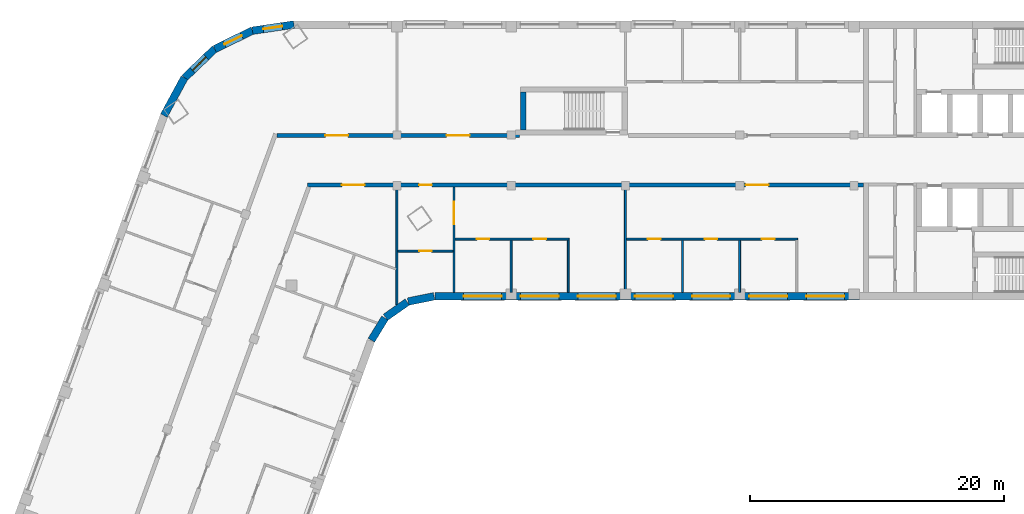
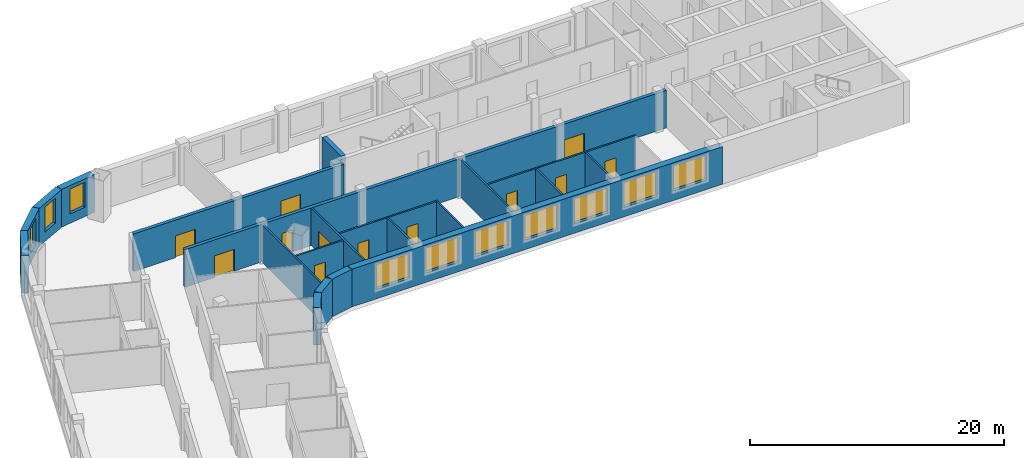
# One storey, part 4 of 8: 21 walls, 12 doors, 10 windows, 22 openings.
"""IFC4 building model written with IfcOpenShell, lengths in metres."""

from ifc_helpers import new_model, si_unit, direction, frame, frame_2d, origin, place, context, subcontext, project, spatial, rectangle, extrude, material, layer, layer_set, type_object, element, fill, save


model = new_model("IFC4")

# Units and contexts
model_context = context("Model", 3, precision=1e-05, world=origin(), true_north=direction((0.0, 1.0)))
body_context = subcontext(model_context, "Body", "Model", "MODEL_VIEW")
ifc_project = project(units=[si_unit("LENGTHUNIT", "METRE"), si_unit("AREAUNIT", "SQUARE_METRE"), si_unit("VOLUMEUNIT", "CUBIC_METRE"), si_unit("PLANEANGLEUNIT", "RADIAN"), si_unit("MASSUNIT", "GRAM", prefix="KILO")], contexts=[model_context])

# Site, building, storey
site_placement = place(None, origin())
site = spatial("IfcSite", under=ifc_project, at=site_placement, CompositionType="ELEMENT")
building_placement = place(site_placement, origin())
building = spatial("IfcBuilding", under=site, at=building_placement, Name="Skarvind Civic Tower", CompositionType="ELEMENT")
storey_placement = place(building_placement, frame((0.0, 0.0, 121.0)))
storey = spatial("IfcBuildingStorey", under=building, at=storey_placement, Name="L28", CompositionType="ELEMENT", Elevation=121.0)

# Wall, openings, doors
ifc_material_1 = material(Name="Fire-rated gypsum board on steel studs", Category="steel")
ifc_layer_1 = layer(ifc_material_1, 0.300048828125)
ifc_layer_set_1 = layer_set([ifc_layer_1], Name="CORRIDOR WALL 300")
wall_type_1 = type_object("IfcWallType", Name="CORRIDOR WALL 300", PredefinedType="PARTITIONING", material=ifc_layer_set_1)
wall_1_placement = place(storey_placement, frame((44.784912109375, 129.949951171875, 0.0), z_axis=(0.0, 0.0, 1.0), x_axis=(1.0, 0.0, 0.0)))
wall_1 = element("IfcWall", 1, at=wall_1_placement, inside=storey, type_object=wall_type_1, Name="Partition 28.013", PredefinedType="PARTITIONING", context=body_context, shape_type="SweptSolid", body=[
    extrude(rectangle(XDim=19.114990234375, YDim=0.300048828125, at=frame_2d((9.5576171875, 0.0))), origin(), (0.0, 0.0, 1.0), 3.625),
])
opening_1_placement = place(wall_1_placement, frame((13.389892578125, 0.0, 0.0)))
opening_1 = element("IfcOpeningElement", 2, at=opening_1_placement, cuts=wall_1, Name="Opening L28-D006", PredefinedType="OPENING", context=body_context, shape_type="SweptSolid", body=[
    extrude(rectangle(XDim=1.800048828125, YDim=2.10009765625, at=frame_2d((0.89990234375, 1.050048828125))), frame((0.0, 0.159912109375, 0.0), z_axis=(0.0, -1.0, 0.0), x_axis=(1.0, 0.0, 0.0)), (0.0, 0.0, 1.0), 0.320068359375),
])
opening_2_placement = place(wall_1_placement, frame((3.822509765625, 0.0, 0.0)))
opening_2 = element("IfcOpeningElement", 3, at=opening_2_placement, cuts=wall_1, Name="Opening L28-D027", PredefinedType="OPENING", context=body_context, shape_type="SweptSolid", body=[
    extrude(rectangle(XDim=1.800048828125, YDim=2.10009765625, at=frame_2d((0.89990234375, 1.050048828125))), frame((0.0, 0.159912109375, 0.0), z_axis=(0.0, -1.0, 0.0), x_axis=(1.0, 0.0, 0.0)), (0.0, 0.0, 1.0), 0.320068359375),
])
ifc_material_2 = material(Name="Fire-rated timber door leaf", Category="wood")
door_type_1 = type_object("IfcDoorType", Name="FD4 1800x2100", OperationType="NOTDEFINED", PredefinedType="DOOR", material=ifc_material_2)
door_1_placement = place(opening_1_placement, origin())
door_1 = element("IfcDoor", 4, at=door_1_placement, inside=storey, type_object=door_type_1, Name="Door L28-D006", OperationType="DOUBLE_DOOR_SINGLE_SWING", OverallHeight=2.10009765625, OverallWidth=1.800048828125, PredefinedType="DOOR", context=body_context, shape_type="SweptSolid", body=[
    extrude(rectangle(XDim=1.800048828125, YDim=2.10009765625, at=frame_2d((0.89990234375, 1.050048828125))), frame((0.0, 0.02490234375, 0.0), z_axis=(0.0, -1.0, 0.0), x_axis=(1.0, 0.0, 0.0)), (0.0, 0.0, 1.0), 0.050048828125),
])
fill(opening_1, door_1)
door_2_placement = place(opening_2_placement, origin())
door_2 = element("IfcDoor", 5, at=door_2_placement, inside=storey, type_object=door_type_1, Name="Door L28-D027", OperationType="DOUBLE_DOOR_SINGLE_SWING", OverallHeight=2.10009765625, OverallWidth=1.800048828125, PredefinedType="DOOR", context=body_context, shape_type="SweptSolid", body=[
    extrude(rectangle(XDim=1.800048828125, YDim=2.10009765625, at=frame_2d((0.89990234375, 1.050048828125))), frame((0.0, 0.02490234375, 0.0), z_axis=(0.0, -1.0, 0.0), x_axis=(1.0, 0.0, 0.0)), (0.0, 0.0, 1.0), 0.050048828125),
])
fill(opening_2, door_2)

wall_2_placement = place(storey_placement, frame((91.0, 126.050048828125, 0.0), z_axis=(0.0, 0.0, 1.0), x_axis=(-1.0, 0.0, 0.0)))
wall_2 = element("IfcWall", 6, at=wall_2_placement, inside=storey, type_object=wall_type_1, Name="Partition 28.039", PredefinedType="PARTITIONING", context=body_context, shape_type="SweptSolid", body=[
    extrude(rectangle(XDim=43.784912109375, YDim=0.300048828125, at=frame_2d((21.892578125, 0.0))), origin(), (0.0, 0.0, 1.0), 3.625),
])
opening_3_placement = place(wall_2_placement, frame((7.47509765625, 0.0, 0.0)))
opening_3 = element("IfcOpeningElement", 7, at=opening_3_placement, cuts=wall_2, Name="Opening L28-D010", PredefinedType="OPENING", context=body_context, shape_type="SweptSolid", body=[
    extrude(rectangle(XDim=1.800048828125, YDim=2.10009765625, at=frame_2d((0.89990234375, 1.050048828125))), frame((0.0, 0.159912109375, 0.0), z_axis=(0.0, -1.0, 0.0), x_axis=(1.0, 0.0, 0.0)), (0.0, 0.0, 1.0), 0.320068359375),
])
opening_4_placement = place(wall_2_placement, frame((34.0, 0.0, 0.0)))
opening_4 = element("IfcOpeningElement", 8, at=opening_4_placement, cuts=wall_2, Name="Opening L28-D011", PredefinedType="OPENING", context=body_context, shape_type="SweptSolid", body=[
    extrude(rectangle(XDim=1.0, YDim=2.10009765625, at=frame_2d((0.5, 1.050048828125))), frame((0.0, 0.159912109375, 0.0), z_axis=(0.0, -1.0, 0.0), x_axis=(1.0, 0.0, 0.0)), (0.0, 0.0, 1.0), 0.320068359375),
])
opening_5_placement = place(wall_2_placement, frame((39.2958984375, 0.0, 0.0)))
opening_5 = element("IfcOpeningElement", 9, at=opening_5_placement, cuts=wall_2, Name="Opening L28-D028", PredefinedType="OPENING", context=body_context, shape_type="SweptSolid", body=[
    extrude(rectangle(XDim=1.800048828125, YDim=2.10009765625, at=frame_2d((0.89990234375, 1.050048828125))), frame((0.0, 0.159912109375, 0.0), z_axis=(0.0, -1.0, 0.0), x_axis=(1.0, 0.0, 0.0)), (0.0, 0.0, 1.0), 0.320068359375),
])
door_type_2 = type_object("IfcDoorType", Name="FD1 1000x2100", OperationType="NOTDEFINED", PredefinedType="DOOR", material=ifc_material_2)
door_3_placement = place(opening_4_placement, origin())
door_3 = element("IfcDoor", 10, at=door_3_placement, inside=storey, type_object=door_type_2, Name="Door L28-D011", OperationType="SINGLE_SWING_LEFT", OverallHeight=2.10009765625, OverallWidth=1.0, PredefinedType="DOOR", context=body_context, shape_type="SweptSolid", body=[
    extrude(rectangle(XDim=1.0, YDim=2.10009765625, at=frame_2d((0.5, 1.050048828125))), frame((0.0, 0.02490234375, 0.0), z_axis=(0.0, -1.0, 0.0), x_axis=(1.0, 0.0, 0.0)), (0.0, 0.0, 1.0), 0.050048828125),
])
fill(opening_4, door_3)
door_4_placement = place(opening_3_placement, origin())
door_4 = element("IfcDoor", 11, at=door_4_placement, inside=storey, type_object=door_type_1, Name="Door L28-D010", OperationType="DOUBLE_DOOR_SINGLE_SWING", OverallHeight=2.10009765625, OverallWidth=1.800048828125, PredefinedType="DOOR", context=body_context, shape_type="SweptSolid", body=[
    extrude(rectangle(XDim=1.800048828125, YDim=2.10009765625, at=frame_2d((0.89990234375, 1.050048828125))), frame((0.0, 0.02490234375, 0.0), z_axis=(0.0, -1.0, 0.0), x_axis=(1.0, 0.0, 0.0)), (0.0, 0.0, 1.0), 0.050048828125),
])
fill(opening_3, door_4)
door_5_placement = place(opening_5_placement, origin())
door_5 = element("IfcDoor", 12, at=door_5_placement, inside=storey, type_object=door_type_1, Name="Door L28-D028", OperationType="DOUBLE_DOOR_SINGLE_SWING", OverallHeight=2.10009765625, OverallWidth=1.800048828125, PredefinedType="DOOR", context=body_context, shape_type="SweptSolid", body=[
    extrude(rectangle(XDim=1.800048828125, YDim=2.10009765625, at=frame_2d((0.89990234375, 1.050048828125))), frame((0.0, 0.02490234375, 0.0), z_axis=(0.0, -1.0, 0.0), x_axis=(1.0, 0.0, 0.0)), (0.0, 0.0, 1.0), 0.050048828125),
])
fill(opening_5, door_5)

# Walls
ifc_material_3 = material(Name="Concrete C80", Category="concrete")
ifc_layer_2 = layer(ifc_material_3, 0.39990234375)
ifc_layer_set_2 = layer_set([ifc_layer_2], Name="Core wall 400 C80")
wall_type_2 = type_object("IfcWallType", Name="Core wall 400 C80", PredefinedType="SHEAR", material=ifc_layer_set_2)
wall_3_placement = place(storey_placement, frame((64.199951171875, 130.39990234375, 0.0), z_axis=(0.0, 0.0, 1.0), x_axis=(0.0, 1.0, 0.0)))
element("IfcWall", 13, at=wall_3_placement, inside=storey, type_object=wall_type_2, Name="Core wall CM west L28", PredefinedType="SHEAR", context=body_context, shape_type="SweptSolid", body=[
    extrude(rectangle(XDim=3.0, YDim=0.39990234375, at=frame_2d((1.5, 0.0))), origin(), (0.0, 0.0, 1.0), 4.0),
])
ifc_material_4 = material(Name="Plasterboard partition on steel studs", Category="steel")
ifc_layer_3 = layer(ifc_material_4, 0.14990234375)
ifc_layer_set_3 = layer_set([ifc_layer_3], Name="PARTITION 150")
wall_type_3 = type_object("IfcWallType", Name="PARTITION 150", PredefinedType="PARTITIONING", material=ifc_layer_set_3)
wall_4_placement = place(storey_placement, frame((54.25, 116.636962890625, 0.0), z_axis=(0.0, 0.0, 1.0), x_axis=(0.0, 1.0, 0.0)))
element("IfcWall", 14, at=wall_4_placement, inside=storey, type_object=wall_type_3, Name="Partition 28.020", PredefinedType="PARTITIONING", context=body_context, shape_type="SweptSolid", body=[
    extrude(rectangle(XDim=9.262939453125, YDim=0.14990234375, at=frame_2d((4.63134765625, 0.0))), origin(), (0.0, 0.0, 1.0), 3.625),
])

# Wall, opening, door
wall_5_placement = place(storey_placement, frame((54.324951171875, 120.85009765625, 0.0), z_axis=(0.0, 0.0, 1.0), x_axis=(1.0, 0.0, 0.0)))
wall_5 = element("IfcWall", 15, at=wall_5_placement, inside=storey, type_object=wall_type_3, Name="Partition 28.021", PredefinedType="PARTITIONING", context=body_context, shape_type="SweptSolid", body=[
    extrude(rectangle(XDim=4.35009765625, YDim=0.14990234375, at=frame_2d((2.175048828125, 0.0))), origin(), (0.0, 0.0, 1.0), 3.625),
])
opening_6_placement = place(wall_5_placement, frame((1.675048828125, 0.0, 0.0)))
opening_6 = element("IfcOpeningElement", 16, at=opening_6_placement, cuts=wall_5, Name="Opening L28-D014", PredefinedType="OPENING", context=body_context, shape_type="SweptSolid", body=[
    extrude(rectangle(XDim=1.0, YDim=2.10009765625, at=frame_2d((0.5, 1.050048828125))), frame((0.0, 0.0849609375, 0.0), z_axis=(0.0, -1.0, 0.0), x_axis=(1.0, 0.0, 0.0)), (0.0, 0.0, 1.0), 0.169921875),
])
ifc_material_5 = material(Name="Timber door leaf", Category="wood")
door_type_3 = type_object("IfcDoorType", Name="D1 1000x2100", OperationType="NOTDEFINED", PredefinedType="DOOR", material=ifc_material_5)
door_6_placement = place(opening_6_placement, origin())
door_6 = element("IfcDoor", 17, at=door_6_placement, inside=storey, type_object=door_type_3, Name="Door L28-D014", OperationType="SINGLE_SWING_LEFT", OverallHeight=2.10009765625, OverallWidth=1.0, PredefinedType="DOOR", context=body_context, shape_type="SweptSolid", body=[
    extrude(rectangle(XDim=1.0, YDim=2.10009765625, at=frame_2d((0.5, 1.050048828125))), frame((0.0, 0.02490234375, 0.0), z_axis=(0.0, -1.0, 0.0), x_axis=(1.0, 0.0, 0.0)), (0.0, 0.0, 1.0), 0.050048828125),
])
fill(opening_6, door_6)

wall_6_placement = place(storey_placement, frame((58.75, 117.60009765625, 0.0), z_axis=(0.0, 0.0, 1.0), x_axis=(0.0, 1.0, 0.0)))
wall_6 = element("IfcWall", 18, at=wall_6_placement, inside=storey, type_object=wall_type_3, Name="Partition 28.023", PredefinedType="PARTITIONING", context=body_context, shape_type="SweptSolid", body=[
    extrude(rectangle(XDim=8.2998046875, YDim=0.14990234375, at=frame_2d((4.14990234375, 0.0))), origin(), (0.0, 0.0, 1.0), 3.625),
])
opening_7_placement = place(wall_6_placement, frame((5.360107421875, 0.0, 0.0)))
opening_7 = element("IfcOpeningElement", 19, at=opening_7_placement, cuts=wall_6, Name="Opening L28-D015", PredefinedType="OPENING", context=body_context, shape_type="SweptSolid", body=[
    extrude(rectangle(XDim=1.800048828125, YDim=2.10009765625, at=frame_2d((0.89990234375, 1.050048828125))), frame((0.0, 0.0849609375, 0.0), z_axis=(0.0, -1.0, 0.0), x_axis=(1.0, 0.0, 0.0)), (0.0, 0.0, 1.0), 0.169921875),
])
door_type_4 = type_object("IfcDoorType", Name="D4 1800x2100", OperationType="NOTDEFINED", PredefinedType="DOOR", material=ifc_material_5)
door_7_placement = place(opening_7_placement, origin())
door_7 = element("IfcDoor", 20, at=door_7_placement, inside=storey, type_object=door_type_4, Name="Door L28-D015", OperationType="DOUBLE_DOOR_SINGLE_SWING", OverallHeight=2.10009765625, OverallWidth=1.800048828125, PredefinedType="DOOR", context=body_context, shape_type="SweptSolid", body=[
    extrude(rectangle(XDim=1.800048828125, YDim=2.10009765625, at=frame_2d((0.89990234375, 1.050048828125))), frame((0.0, 0.02490234375, 0.0), z_axis=(0.0, -1.0, 0.0), x_axis=(1.0, 0.0, 0.0)), (0.0, 0.0, 1.0), 0.050048828125),
])
fill(opening_7, door_7)

# Wall, openings, doors
wall_7_placement = place(storey_placement, frame((58.824951171875, 121.800048828125, 0.0), z_axis=(0.0, 0.0, 1.0), x_axis=(1.0, 0.0, 0.0)))
wall_7 = element("IfcWall", 21, at=wall_7_placement, inside=storey, type_object=wall_type_3, Name="Partition 28.024", PredefinedType="PARTITIONING", context=body_context, shape_type="SweptSolid", body=[
    extrude(rectangle(XDim=9.0, YDim=0.14990234375, at=frame_2d((4.5, 0.0))), origin(), (0.0, 0.0, 1.0), 3.625),
])
opening_8_placement = place(wall_7_placement, frame((1.702392578125, 0.0, 0.0)))
opening_8 = element("IfcOpeningElement", 22, at=opening_8_placement, cuts=wall_7, Name="Opening L28-D012", PredefinedType="OPENING", context=body_context, shape_type="SweptSolid", body=[
    extrude(rectangle(XDim=1.0, YDim=2.10009765625, at=frame_2d((0.5, 1.050048828125))), frame((0.0, 0.0849609375, 0.0), z_axis=(0.0, -1.0, 0.0), x_axis=(1.0, 0.0, 0.0)), (0.0, 0.0, 1.0), 0.169921875),
])
opening_9_placement = place(wall_7_placement, frame((6.175048828125, 0.0, 0.0)))
opening_9 = element("IfcOpeningElement", 23, at=opening_9_placement, cuts=wall_7, Name="Opening L28-D013", PredefinedType="OPENING", context=body_context, shape_type="SweptSolid", body=[
    extrude(rectangle(XDim=1.0, YDim=2.10009765625, at=frame_2d((0.5, 1.050048828125))), frame((0.0, 0.0849609375, 0.0), z_axis=(0.0, -1.0, 0.0), x_axis=(1.0, 0.0, 0.0)), (0.0, 0.0, 1.0), 0.169921875),
])
door_8_placement = place(opening_8_placement, origin())
door_8 = element("IfcDoor", 24, at=door_8_placement, inside=storey, type_object=door_type_3, Name="Door L28-D012", OperationType="SINGLE_SWING_LEFT", OverallHeight=2.10009765625, OverallWidth=1.0, PredefinedType="DOOR", context=body_context, shape_type="SweptSolid", body=[
    extrude(rectangle(XDim=1.0, YDim=2.10009765625, at=frame_2d((0.5, 1.050048828125))), frame((0.0, 0.02490234375, 0.0), z_axis=(0.0, -1.0, 0.0), x_axis=(1.0, 0.0, 0.0)), (0.0, 0.0, 1.0), 0.050048828125),
])
fill(opening_8, door_8)
door_9_placement = place(opening_9_placement, origin())
door_9 = element("IfcDoor", 25, at=door_9_placement, inside=storey, type_object=door_type_3, Name="Door L28-D013", OperationType="SINGLE_SWING_RIGHT", OverallHeight=2.10009765625, OverallWidth=1.0, PredefinedType="DOOR", context=body_context, shape_type="SweptSolid", body=[
    extrude(rectangle(XDim=1.0, YDim=2.10009765625, at=frame_2d((0.5, 1.050048828125))), frame((0.0, 0.02490234375, 0.0), z_axis=(0.0, -1.0, 0.0), x_axis=(1.0, 0.0, 0.0)), (0.0, 0.0, 1.0), 0.050048828125),
])
fill(opening_9, door_9)

# Walls
for number, where, z_axis, x_axis, name in (
    (26, (63.25, 121.72509765625, 0.0), (0.0, 0.0, 1.0), (0.0, -1.0, 0.0), "Partition 28.025"),
    (27, (67.75, 117.60009765625, 0.0), (0.0, 0.0, 1.0), (0.0, 1.0, 0.0), "Partition 28.026"),
):
    element("IfcWall", number, at=place(storey_placement, frame(where, z_axis=z_axis, x_axis=x_axis)), inside=storey, type_object=wall_type_3, Name=name, PredefinedType="PARTITIONING", context=body_context, shape_type="SweptSolid", body=[
        extrude(rectangle(XDim=4.125, YDim=0.14990234375, at=frame_2d((2.0625, 0.0))), origin(), (0.0, 0.0, 1.0), 3.625),
    ])
wall_8_placement = place(storey_placement, frame((72.25, 117.60009765625, 0.0), z_axis=(0.0, 0.0, 1.0), x_axis=(0.0, 1.0, 0.0)))
element("IfcWall", 28, at=wall_8_placement, inside=storey, type_object=wall_type_3, Name="Partition 28.027", PredefinedType="PARTITIONING", context=body_context, shape_type="SweptSolid", body=[
    extrude(rectangle(XDim=8.2998046875, YDim=0.14990234375, at=frame_2d((4.14990234375, 0.0))), origin(), (0.0, 0.0, 1.0), 3.625),
])

# Wall, openings, doors
wall_9_placement = place(storey_placement, frame((72.324951171875, 121.800048828125, 0.0), z_axis=(0.0, 0.0, 1.0), x_axis=(1.0, 0.0, 0.0)))
wall_9 = element("IfcWall", 29, at=wall_9_placement, inside=storey, type_object=wall_type_3, Name="Partition 28.028", PredefinedType="PARTITIONING", context=body_context, shape_type="SweptSolid", body=[
    extrude(rectangle(XDim=13.5, YDim=0.14990234375, at=frame_2d((6.75, 0.0))), origin(), (0.0, 0.0, 1.0), 3.625),
])
opening_10_placement = place(wall_9_placement, frame((10.675048828125, 0.0, 0.0)))
opening_10 = element("IfcOpeningElement", 30, at=opening_10_placement, cuts=wall_9, Name="Opening L28-D007", PredefinedType="OPENING", context=body_context, shape_type="SweptSolid", body=[
    extrude(rectangle(XDim=1.0, YDim=2.10009765625, at=frame_2d((0.5, 1.050048828125))), frame((0.0, 0.0849609375, 0.0), z_axis=(0.0, -1.0, 0.0), x_axis=(1.0, 0.0, 0.0)), (0.0, 0.0, 1.0), 0.169921875),
])
opening_11_placement = place(wall_9_placement, frame((6.175048828125, 0.0, 0.0)))
opening_11 = element("IfcOpeningElement", 31, at=opening_11_placement, cuts=wall_9, Name="Opening L28-D008", PredefinedType="OPENING", context=body_context, shape_type="SweptSolid", body=[
    extrude(rectangle(XDim=1.0, YDim=2.10009765625, at=frame_2d((0.5, 1.050048828125))), frame((0.0, 0.0849609375, 0.0), z_axis=(0.0, -1.0, 0.0), x_axis=(1.0, 0.0, 0.0)), (0.0, 0.0, 1.0), 0.169921875),
])
opening_12_placement = place(wall_9_placement, frame((1.702392578125, 0.0, 0.0)))
opening_12 = element("IfcOpeningElement", 32, at=opening_12_placement, cuts=wall_9, Name="Opening L28-D009", PredefinedType="OPENING", context=body_context, shape_type="SweptSolid", body=[
    extrude(rectangle(XDim=1.0, YDim=2.10009765625, at=frame_2d((0.5, 1.050048828125))), frame((0.0, 0.0849609375, 0.0), z_axis=(0.0, -1.0, 0.0), x_axis=(1.0, 0.0, 0.0)), (0.0, 0.0, 1.0), 0.169921875),
])
door_10_placement = place(opening_10_placement, origin())
door_10 = element("IfcDoor", 33, at=door_10_placement, inside=storey, type_object=door_type_3, Name="Door L28-D007", OperationType="SINGLE_SWING_LEFT", OverallHeight=2.10009765625, OverallWidth=1.0, PredefinedType="DOOR", context=body_context, shape_type="SweptSolid", body=[
    extrude(rectangle(XDim=1.0, YDim=2.10009765625, at=frame_2d((0.5, 1.050048828125))), frame((0.0, 0.02490234375, 0.0), z_axis=(0.0, -1.0, 0.0), x_axis=(1.0, 0.0, 0.0)), (0.0, 0.0, 1.0), 0.050048828125),
])
fill(opening_10, door_10)
door_11_placement = place(opening_11_placement, origin())
door_11 = element("IfcDoor", 34, at=door_11_placement, inside=storey, type_object=door_type_3, Name="Door L28-D008", OperationType="SINGLE_SWING_RIGHT", OverallHeight=2.10009765625, OverallWidth=1.0, PredefinedType="DOOR", context=body_context, shape_type="SweptSolid", body=[
    extrude(rectangle(XDim=1.0, YDim=2.10009765625, at=frame_2d((0.5, 1.050048828125))), frame((0.0, 0.02490234375, 0.0), z_axis=(0.0, -1.0, 0.0), x_axis=(1.0, 0.0, 0.0)), (0.0, 0.0, 1.0), 0.050048828125),
])
fill(opening_11, door_11)
door_12_placement = place(opening_12_placement, origin())
door_12 = element("IfcDoor", 35, at=door_12_placement, inside=storey, type_object=door_type_3, Name="Door L28-D009", OperationType="SINGLE_SWING_LEFT", OverallHeight=2.10009765625, OverallWidth=1.0, PredefinedType="DOOR", context=body_context, shape_type="SweptSolid", body=[
    extrude(rectangle(XDim=1.0, YDim=2.10009765625, at=frame_2d((0.5, 1.050048828125))), frame((0.0, 0.02490234375, 0.0), z_axis=(0.0, -1.0, 0.0), x_axis=(1.0, 0.0, 0.0)), (0.0, 0.0, 1.0), 0.050048828125),
])
fill(opening_12, door_12)

# Walls
for number, where, z_axis, x_axis, name in (
    (36, (76.75, 117.60009765625, 0.0), (0.0, 0.0, 1.0), (0.0, 1.0, 0.0), "Partition 28.032"),
    (37, (81.25, 117.60009765625, 0.0), (0.0, 0.0, 1.0), (0.0, 1.0, 0.0), "Partition 28.035"),
):
    element("IfcWall", number, at=place(storey_placement, frame(where, z_axis=z_axis, x_axis=x_axis)), inside=storey, type_object=wall_type_3, Name=name, PredefinedType="PARTITIONING", context=body_context, shape_type="SweptSolid", body=[
        extrude(rectangle(XDim=4.125, YDim=0.14990234375, at=frame_2d((2.0625, 0.0))), origin(), (0.0, 0.0, 1.0), 3.625),
    ])
ifc_material_6 = material(Name="Limestone masonry cladding on insulated backing", Category="masonry")
ifc_layer_4 = layer(ifc_material_6, 0.60009765625)
ifc_layer_set_4 = layer_set([ifc_layer_4], Name="WX1 STONE FACADE WALL 600")
wall_type_4 = type_object("IfcWallType", Name="WX1 STONE FACADE WALL 600", PredefinedType="SOLIDWALL", material=ifc_layer_set_4)
wall_10_placement = place(storey_placement, frame((53.30517578125, 115.578369140625, 0.0), z_axis=(0.0, 0.0, 1.0), x_axis=(-0.522402266438, -0.852699168535, 0.0)))
element("IfcWall", 38, at=wall_10_placement, inside=storey, type_object=wall_type_4, Name="STONE FACADE WALL", PredefinedType="SOLIDWALL", context=body_context, shape_type="SweptSolid", body=[
    extrude(rectangle(XDim=2.042236328125, YDim=0.60009765625, at=frame_2d((1.02099609375, 0.0))), origin(), (0.0, 0.0, 1.0), 3.625),
])
for number, where, z_axis, x_axis, name in (
    (39, (55.061767578125, 116.8388671875, 0.0), (0.0, 0.0, 1.0), (-0.819122269495, -0.573618956815, 0.0), "STONE FACADE WALL"),
    (40, (57.17529296875, 117.2939453125, 0.0), (0.0, 0.0, 1.0), (-0.97996099083, -0.19918949885, 0.0), "STONE FACADE WALL"),
):
    element("IfcWall", number, at=place(storey_placement, frame(where, z_axis=z_axis, x_axis=x_axis)), inside=storey, type_object=wall_type_4, Name=name, PredefinedType="SOLIDWALL", context=body_context, shape_type="SweptSolid", body=[
        extrude(rectangle(XDim=2.09228515625, YDim=0.60009765625, at=frame_2d((1.046142578125, 0.0))), origin(), (0.0, 0.0, 1.0), 3.625),
    ])

# Wall, openings, windows
wall_11_placement = place(storey_placement, frame((90.97998046875, 117.300048828125, 0.0), z_axis=(0.0, 0.0, 1.0), x_axis=(-1.0, 0.0, 0.0)))
wall_11 = element("IfcWall", 41, at=wall_11_placement, inside=storey, type_object=wall_type_4, Name="STONE FACADE WALL", PredefinedType="SOLIDWALL", context=body_context, shape_type="SweptSolid", body=[
    extrude(rectangle(XDim=33.744873046875, YDim=0.60009765625, at=frame_2d((16.87255859375, 0.0))), origin(), (0.0, 0.0, 1.0), 3.625),
])
opening_13_placement = place(wall_11_placement, frame((1.47998046875, 0.0, 0.89990234375)))
opening_13 = element("IfcOpeningElement", 42, at=opening_13_placement, cuts=wall_11, Name="Opening WN1", PredefinedType="OPENING", context=body_context, shape_type="SweptSolid", body=[
    extrude(rectangle(XDim=3.0, YDim=2.39990234375, at=frame_2d((1.5, 1.199951171875))), frame((0.0, 0.31005859375, 0.0), z_axis=(0.0, -1.0, 0.0), x_axis=(1.0, 0.0, 0.0)), (0.0, 0.0, 1.0), 0.6201171875),
])
opening_14_placement = place(wall_11_placement, frame((5.97998046875, 0.0, 0.89990234375)))
opening_14 = element("IfcOpeningElement", 43, at=opening_14_placement, cuts=wall_11, Name="Opening WN1", PredefinedType="OPENING", context=body_context, shape_type="SweptSolid", body=[
    extrude(rectangle(XDim=3.0, YDim=2.39990234375, at=frame_2d((1.5, 1.199951171875))), frame((0.0, 0.31005859375, 0.0), z_axis=(0.0, -1.0, 0.0), x_axis=(1.0, 0.0, 0.0)), (0.0, 0.0, 1.0), 0.6201171875),
])
opening_15_placement = place(wall_11_placement, frame((10.47998046875, 0.0, 0.89990234375)))
opening_15 = element("IfcOpeningElement", 44, at=opening_15_placement, cuts=wall_11, Name="Opening WN1", PredefinedType="OPENING", context=body_context, shape_type="SweptSolid", body=[
    extrude(rectangle(XDim=3.0, YDim=2.39990234375, at=frame_2d((1.5, 1.199951171875))), frame((0.0, 0.31005859375, 0.0), z_axis=(0.0, -1.0, 0.0), x_axis=(1.0, 0.0, 0.0)), (0.0, 0.0, 1.0), 0.6201171875),
])
opening_16_placement = place(wall_11_placement, frame((14.97998046875, 0.0, 0.89990234375)))
opening_16 = element("IfcOpeningElement", 45, at=opening_16_placement, cuts=wall_11, Name="Opening WN1", PredefinedType="OPENING", context=body_context, shape_type="SweptSolid", body=[
    extrude(rectangle(XDim=3.0, YDim=2.39990234375, at=frame_2d((1.5, 1.199951171875))), frame((0.0, 0.31005859375, 0.0), z_axis=(0.0, -1.0, 0.0), x_axis=(1.0, 0.0, 0.0)), (0.0, 0.0, 1.0), 0.6201171875),
])
opening_17_placement = place(wall_11_placement, frame((19.47998046875, 0.0, 0.89990234375)))
opening_17 = element("IfcOpeningElement", 46, at=opening_17_placement, cuts=wall_11, Name="Opening WN1", PredefinedType="OPENING", context=body_context, shape_type="SweptSolid", body=[
    extrude(rectangle(XDim=3.0, YDim=2.39990234375, at=frame_2d((1.5, 1.199951171875))), frame((0.0, 0.31005859375, 0.0), z_axis=(0.0, -1.0, 0.0), x_axis=(1.0, 0.0, 0.0)), (0.0, 0.0, 1.0), 0.6201171875),
])
opening_18_placement = place(wall_11_placement, frame((23.97998046875, 0.0, 0.89990234375)))
opening_18 = element("IfcOpeningElement", 47, at=opening_18_placement, cuts=wall_11, Name="Opening WN1", PredefinedType="OPENING", context=body_context, shape_type="SweptSolid", body=[
    extrude(rectangle(XDim=3.0, YDim=2.39990234375, at=frame_2d((1.5, 1.199951171875))), frame((0.0, 0.31005859375, 0.0), z_axis=(0.0, -1.0, 0.0), x_axis=(1.0, 0.0, 0.0)), (0.0, 0.0, 1.0), 0.6201171875),
])
opening_19_placement = place(wall_11_placement, frame((28.47998046875, 0.0, 0.89990234375)))
opening_19 = element("IfcOpeningElement", 48, at=opening_19_placement, cuts=wall_11, Name="Opening WN1", PredefinedType="OPENING", context=body_context, shape_type="SweptSolid", body=[
    extrude(rectangle(XDim=3.0, YDim=2.39990234375, at=frame_2d((1.5, 1.199951171875))), frame((0.0, 0.31005859375, 0.0), z_axis=(0.0, -1.0, 0.0), x_axis=(1.0, 0.0, 0.0)), (0.0, 0.0, 1.0), 0.6201171875),
])
ifc_material_7 = material(Name="Timber frame, double glazing, timber-lined reveal", Category="wood")
window_type_1 = type_object("IfcWindowType", Name="WN1 PUNCHED STONE WINDOW 3000 x 2400", PartitioningType="SINGLE_PANEL", PredefinedType="WINDOW", material=ifc_material_7)
window_1_placement = place(opening_13_placement, origin())
window_1 = element("IfcWindow", 49, at=window_1_placement, inside=storey, type_object=window_type_1, Name="WN1 WINDOW", OverallHeight=2.39990234375, OverallWidth=3.0, PartitioningType="SINGLE_PANEL", PredefinedType="WINDOW", context=body_context, shape_type="SweptSolid", body=[
    extrude(rectangle(XDim=3.0, YDim=2.39990234375, at=frame_2d((1.5, 1.199951171875))), frame((0.0, 0.030029296875, 0.0), z_axis=(0.0, -1.0, 0.0), x_axis=(1.0, 0.0, 0.0)), (0.0, 0.0, 1.0), 0.06005859375),
])
fill(opening_13, window_1)
window_2_placement = place(opening_14_placement, origin())
window_2 = element("IfcWindow", 50, at=window_2_placement, inside=storey, type_object=window_type_1, Name="WN1 WINDOW", OverallHeight=2.39990234375, OverallWidth=3.0, PartitioningType="SINGLE_PANEL", PredefinedType="WINDOW", context=body_context, shape_type="SweptSolid", body=[
    extrude(rectangle(XDim=3.0, YDim=2.39990234375, at=frame_2d((1.5, 1.199951171875))), frame((0.0, 0.030029296875, 0.0), z_axis=(0.0, -1.0, 0.0), x_axis=(1.0, 0.0, 0.0)), (0.0, 0.0, 1.0), 0.06005859375),
])
fill(opening_14, window_2)
window_3_placement = place(opening_15_placement, origin())
window_3 = element("IfcWindow", 51, at=window_3_placement, inside=storey, type_object=window_type_1, Name="WN1 WINDOW", OverallHeight=2.39990234375, OverallWidth=3.0, PartitioningType="SINGLE_PANEL", PredefinedType="WINDOW", context=body_context, shape_type="SweptSolid", body=[
    extrude(rectangle(XDim=3.0, YDim=2.39990234375, at=frame_2d((1.5, 1.199951171875))), frame((0.0, 0.030029296875, 0.0), z_axis=(0.0, -1.0, 0.0), x_axis=(1.0, 0.0, 0.0)), (0.0, 0.0, 1.0), 0.06005859375),
])
fill(opening_15, window_3)
window_4_placement = place(opening_16_placement, origin())
window_4 = element("IfcWindow", 52, at=window_4_placement, inside=storey, type_object=window_type_1, Name="WN1 WINDOW", OverallHeight=2.39990234375, OverallWidth=3.0, PartitioningType="SINGLE_PANEL", PredefinedType="WINDOW", context=body_context, shape_type="SweptSolid", body=[
    extrude(rectangle(XDim=3.0, YDim=2.39990234375, at=frame_2d((1.5, 1.199951171875))), frame((0.0, 0.030029296875, 0.0), z_axis=(0.0, -1.0, 0.0), x_axis=(1.0, 0.0, 0.0)), (0.0, 0.0, 1.0), 0.06005859375),
])
fill(opening_16, window_4)
window_5_placement = place(opening_17_placement, origin())
window_5 = element("IfcWindow", 53, at=window_5_placement, inside=storey, type_object=window_type_1, Name="WN1 WINDOW", OverallHeight=2.39990234375, OverallWidth=3.0, PartitioningType="SINGLE_PANEL", PredefinedType="WINDOW", context=body_context, shape_type="SweptSolid", body=[
    extrude(rectangle(XDim=3.0, YDim=2.39990234375, at=frame_2d((1.5, 1.199951171875))), frame((0.0, 0.030029296875, 0.0), z_axis=(0.0, -1.0, 0.0), x_axis=(1.0, 0.0, 0.0)), (0.0, 0.0, 1.0), 0.06005859375),
])
fill(opening_17, window_5)
window_6_placement = place(opening_18_placement, origin())
window_6 = element("IfcWindow", 54, at=window_6_placement, inside=storey, type_object=window_type_1, Name="WN1 WINDOW", OverallHeight=2.39990234375, OverallWidth=3.0, PartitioningType="SINGLE_PANEL", PredefinedType="WINDOW", context=body_context, shape_type="SweptSolid", body=[
    extrude(rectangle(XDim=3.0, YDim=2.39990234375, at=frame_2d((1.5, 1.199951171875))), frame((0.0, 0.030029296875, 0.0), z_axis=(0.0, -1.0, 0.0), x_axis=(1.0, 0.0, 0.0)), (0.0, 0.0, 1.0), 0.06005859375),
])
fill(opening_18, window_6)
window_7_placement = place(opening_19_placement, origin())
window_7 = element("IfcWindow", 55, at=window_7_placement, inside=storey, type_object=window_type_1, Name="WN1 WINDOW", OverallHeight=2.39990234375, OverallWidth=3.0, PartitioningType="SINGLE_PANEL", PredefinedType="WINDOW", context=body_context, shape_type="SweptSolid", body=[
    extrude(rectangle(XDim=3.0, YDim=2.39990234375, at=frame_2d((1.5, 1.199951171875))), frame((0.0, 0.030029296875, 0.0), z_axis=(0.0, -1.0, 0.0), x_axis=(1.0, 0.0, 0.0)), (0.0, 0.0, 1.0), 0.06005859375),
])
fill(opening_19, window_7)

# Wall, opening, window
wall_12_placement = place(storey_placement, frame((42.872802734375, 138.21728515625, 0.0), z_axis=(0.0, 0.0, 1.0), x_axis=(0.989110792192, 0.14717282619, 0.0)))
wall_12 = element("IfcWall", 56, at=wall_12_placement, inside=storey, type_object=wall_type_4, Name="STONE FACADE WALL", PredefinedType="SOLIDWALL", context=body_context, shape_type="SweptSolid", body=[
    extrude(rectangle(XDim=3.302734375, YDim=0.60009765625, at=frame_2d((1.6513671875, 0.0))), origin(), (0.0, 0.0, 1.0), 3.625),
])
opening_20_placement = place(wall_12_placement, frame((0.8564453125, 0.0, 0.89990234375)))
opening_20 = element("IfcOpeningElement", 57, at=opening_20_placement, cuts=wall_12, Name="Opening WN8", PredefinedType="OPENING", context=body_context, shape_type="SweptSolid", body=[
    extrude(rectangle(XDim=1.5, YDim=2.39990234375, at=frame_2d((0.75, 1.199951171875))), frame((0.0, 0.31005859375, 0.0), z_axis=(0.0, -1.0, 0.0), x_axis=(1.0, 0.0, 0.0)), (0.0, 0.0, 1.0), 0.6201171875),
])
window_type_2 = type_object("IfcWindowType", Name="WN8 ARC BAY WINDOW 1500 x 2400", PartitioningType="SINGLE_PANEL", PredefinedType="WINDOW", material=ifc_material_7)
window_8_placement = place(opening_20_placement, origin())
window_8 = element("IfcWindow", 58, at=window_8_placement, inside=storey, type_object=window_type_2, Name="WN8 WINDOW", OverallHeight=2.39990234375, OverallWidth=1.5, PartitioningType="SINGLE_PANEL", PredefinedType="WINDOW", context=body_context, shape_type="SweptSolid", body=[
    extrude(rectangle(XDim=1.5, YDim=2.39990234375, at=frame_2d((0.75, 1.199951171875))), frame((0.0, 0.030029296875, 0.0), z_axis=(0.0, -1.0, 0.0), x_axis=(1.0, 0.0, 0.0)), (0.0, 0.0, 1.0), 0.06005859375),
])
fill(opening_20, window_8)

wall_13_placement = place(storey_placement, frame((39.9072265625, 136.77587890625, 0.0), z_axis=(0.0, 0.0, 1.0), x_axis=(0.89761231107, 0.440785819889, 0.0)))
wall_13 = element("IfcWall", 59, at=wall_13_placement, inside=storey, type_object=wall_type_4, Name="STONE FACADE WALL", PredefinedType="SOLIDWALL", context=body_context, shape_type="SweptSolid", body=[
    extrude(rectangle(XDim=3.302734375, YDim=0.60009765625, at=frame_2d((1.6513671875, 0.0))), origin(), (0.0, 0.0, 1.0), 3.625),
])
opening_21_placement = place(wall_13_placement, frame((0.8564453125, 0.0, 0.89990234375)))
opening_21 = element("IfcOpeningElement", 60, at=opening_21_placement, cuts=wall_13, Name="Opening WN8", PredefinedType="OPENING", context=body_context, shape_type="SweptSolid", body=[
    extrude(rectangle(XDim=1.5, YDim=2.39990234375, at=frame_2d((0.75, 1.199951171875))), frame((0.0, 0.31005859375, 0.0), z_axis=(0.0, -1.0, 0.0), x_axis=(1.0, 0.0, 0.0)), (0.0, 0.0, 1.0), 0.6201171875),
])
window_9_placement = place(opening_21_placement, origin())
window_9 = element("IfcWindow", 61, at=window_9_placement, inside=storey, type_object=window_type_2, Name="WN8 WINDOW", OverallHeight=2.39990234375, OverallWidth=1.5, PartitioningType="SINGLE_PANEL", PredefinedType="WINDOW", context=body_context, shape_type="SweptSolid", body=[
    extrude(rectangle(XDim=1.5, YDim=2.39990234375, at=frame_2d((0.75, 1.199951171875))), frame((0.0, 0.030029296875, 0.0), z_axis=(0.0, -1.0, 0.0), x_axis=(1.0, 0.0, 0.0)), (0.0, 0.0, 1.0), 0.06005859375),
])
fill(opening_21, window_9)

wall_14_placement = place(storey_placement, frame((37.520263671875, 134.501220703125, 0.0), z_axis=(0.0, 0.0, 1.0), x_axis=(0.72115684486, 0.692771827596, 0.0)))
wall_14 = element("IfcWall", 62, at=wall_14_placement, inside=storey, type_object=wall_type_4, Name="STONE FACADE WALL", PredefinedType="SOLIDWALL", context=body_context, shape_type="SweptSolid", body=[
    extrude(rectangle(XDim=3.302734375, YDim=0.60009765625, at=frame_2d((1.6513671875, 0.0))), origin(), (0.0, 0.0, 1.0), 3.625),
])
opening_22_placement = place(wall_14_placement, frame((0.8564453125, 0.0, 0.89990234375)))
opening_22 = element("IfcOpeningElement", 63, at=opening_22_placement, cuts=wall_14, Name="Opening WN8", PredefinedType="OPENING", context=body_context, shape_type="SweptSolid", body=[
    extrude(rectangle(XDim=1.5, YDim=2.39990234375, at=frame_2d((0.75, 1.199951171875))), frame((0.0, 0.31005859375, 0.0), z_axis=(0.0, -1.0, 0.0), x_axis=(1.0, 0.0, 0.0)), (0.0, 0.0, 1.0), 0.6201171875),
])
window_10_placement = place(opening_22_placement, origin())
window_10 = element("IfcWindow", 64, at=window_10_placement, inside=storey, type_object=window_type_2, Name="WN8 WINDOW", OverallHeight=2.39990234375, OverallWidth=1.5, PartitioningType="SINGLE_PANEL", PredefinedType="WINDOW", context=body_context, shape_type="SweptSolid", body=[
    extrude(rectangle(XDim=1.5, YDim=2.39990234375, at=frame_2d((0.75, 1.199951171875))), frame((0.0, 0.030029296875, 0.0), z_axis=(0.0, -1.0, 0.0), x_axis=(1.0, 0.0, 0.0)), (0.0, 0.0, 1.0), 0.06005859375),
])
fill(opening_22, window_10)

# Wall
wall_15_placement = place(storey_placement, frame((35.89453125, 131.529541015625, 0.0), z_axis=(0.0, 0.0, 1.0), x_axis=(0.476531180538, 0.879157570618, 0.0)))
element("IfcWall", 65, at=wall_15_placement, inside=storey, type_object=wall_type_4, Name="STONE FACADE WALL", PredefinedType="SOLIDWALL", context=body_context, shape_type="SweptSolid", body=[
    extrude(rectangle(XDim=3.392578125, YDim=0.60009765625, at=frame_2d((1.6962890625, 0.0))), origin(), (0.0, 0.0, 1.0), 3.625),
])

save(model, "model.ifc")
